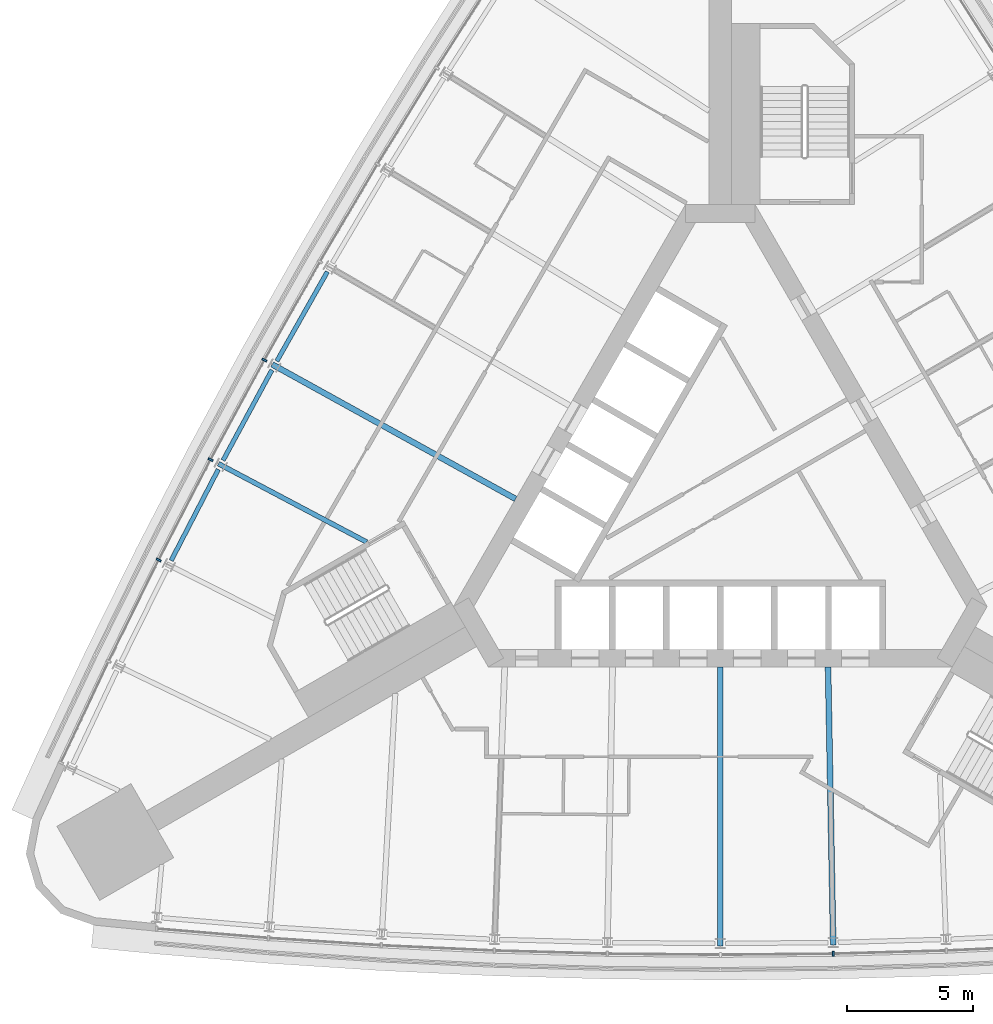
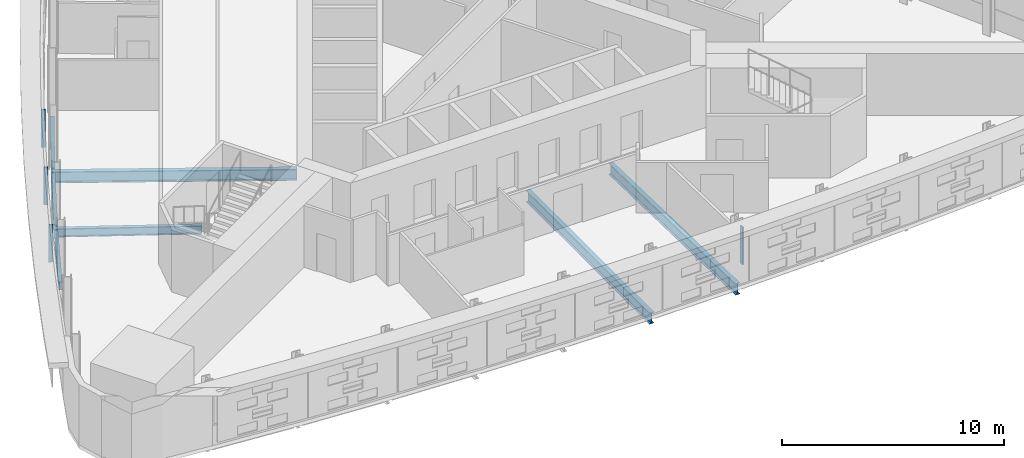
# One storey, part 4 of 15: 7 beams, 4 members, 2 elements without a shape of their own.
"""IFC4 building model written with IfcOpenShell, lengths in metres."""

from ifc_helpers import new_model, si_unit, direction, frame, origin, origin_2d, place, context, subcontext, project, spatial, rectangle, i_section, extrude, material, material_profile, profile_set, type_object, element, aggregate, save


model = new_model("IFC4")

# Units and contexts
model_context = context("Model", 3, precision=1e-05, world=origin(), true_north=direction((0.0, 1.0)))
body_context = subcontext(model_context, "Body", "Model", "MODEL_VIEW")
ifc_project = project(units=[si_unit("LENGTHUNIT", "METRE"), si_unit("AREAUNIT", "SQUARE_METRE"), si_unit("VOLUMEUNIT", "CUBIC_METRE"), si_unit("PLANEANGLEUNIT", "RADIAN"), si_unit("MASSUNIT", "GRAM", prefix="KILO")], contexts=[model_context])

# Site, building, storey
site_placement = place(None, origin())
site = spatial("IfcSite", under=ifc_project, at=site_placement, CompositionType="ELEMENT")
building_placement = place(site_placement, origin())
building = spatial("IfcBuilding", under=site, at=building_placement, Name="Noor Cloister Tower", CompositionType="ELEMENT")
storey_placement = place(building_placement, frame((0.0, 0.0, 31.199951171875)))
storey = spatial("IfcBuildingStorey", under=building, at=storey_placement, Name="L07", CompositionType="ELEMENT", Elevation=31.199951171875)

# Curtain wall, members
ifc_material_1 = material(Name="Aluminium 6063-T6 anodised", Category="aluminium")
curtain_wall_type = type_object("IfcCurtainWallType", Name="Ribbon curtain wall, lower tower CW1", PredefinedType="NOTDEFINED", material=ifc_material_1)
curtain_wall_1_placement = place(storey_placement, origin())
curtain_wall_1 = element("IfcCurtainWall", 1, at=curtain_wall_1_placement, inside=storey, type_object=curtain_wall_type, Name="CW1 L07 NW run 1", PredefinedType="NOTDEFINED")
ifc_material_2 = material(Name="Aluminium 6063-T6 anodised", Category="aluminium")
ifc_material_profile_1 = material_profile(ifc_material_2, rectangle(XDim=0.199951171875, YDim=0.080078125, at=origin_2d()), Name="200 x 80 mullion")
ifc_profile_set_1 = profile_set([ifc_material_profile_1], Name="Aluminium 6063-T6 anodised")
member_type = type_object("IfcMemberType", Name="Mullion CW1 80 x 200", PredefinedType="MULLION", material=ifc_profile_set_1)
member_1_placement = place(storey_placement, frame((-18.133056640625, 5.275390625, 1.10009765625), z_axis=(0.0, 0.0, 1.0), x_axis=(0.875152761016, -0.483846716312, 0.0)))
member_1 = element("IfcMember", 2, at=member_1_placement, type_object=member_type, Name="CW1 mullion 7", PredefinedType="MULLION", context=body_context, shape_type="SweptSolid", body=[
    extrude(rectangle(XDim=0.199951171875, YDim=0.080078125, at=origin_2d()), origin(), (0.0, 0.0, 1.0), 2.050048828125),
])
member_2_placement = place(storey_placement, frame((-20.27294921875, 1.31884765625, 1.10009765625), z_axis=(0.0, 0.0, 1.0), x_axis=(0.88397885809, -0.467526874574, 0.0)))
member_2 = element("IfcMember", 3, at=member_2_placement, type_object=member_type, Name="CW1 mullion 8", PredefinedType="MULLION", context=body_context, shape_type="SweptSolid", body=[
    extrude(rectangle(XDim=0.199951171875, YDim=0.080078125, at=origin_2d()), origin(), (0.0, 0.0, 1.0), 2.050048828125),
])
member_3_placement = place(storey_placement, frame((-22.3388671875, -2.6767578125, 1.10009765625), z_axis=(0.0, 0.0, 1.0), x_axis=(0.892500656737, -0.451046092683, 0.0)))
member_3 = element("IfcMember", 4, at=member_3_placement, type_object=member_type, Name="CW1 mullion 9", PredefinedType="MULLION", context=body_context, shape_type="SweptSolid", body=[
    extrude(rectangle(XDim=0.199951171875, YDim=0.080078125, at=origin_2d()), origin(), (0.0, 0.0, 1.0), 2.050048828125),
])
aggregate(curtain_wall_1, [member_1, member_2, member_3])

# Curtain wall, member
curtain_wall_2_placement = place(storey_placement, origin())
curtain_wall_2 = element("IfcCurtainWall", 5, at=curtain_wall_2_placement, inside=storey, type_object=curtain_wall_type, Name="CW1 L07 S run 2", PredefinedType="NOTDEFINED")
member_4_placement = place(storey_placement, frame((4.497802734375, -18.34130859375, 1.10009765625), z_axis=(0.0, 0.0, 1.0), x_axis=(-0.018552832644, 0.999827881388, 0.0)))
member_4 = element("IfcMember", 6, at=member_4_placement, type_object=member_type, Name="CW1 mullion 7", PredefinedType="MULLION", context=body_context, shape_type="SweptSolid", body=[
    extrude(rectangle(XDim=0.199951171875, YDim=0.080078125, at=origin_2d()), origin(), (0.0, 0.0, 1.0), 2.050048828125),
])
aggregate(curtain_wall_2, [member_4])

# Beams
ifc_material_3 = material(Name="Steel ASTM A992 Gr 50", Category="steel")
ifc_material_profile_2 = material_profile(ifc_material_3, i_section(OverallWidth=0.19091796875, OverallDepth=0.45703125, WebThickness=0.009033203125, FlangeThickness=0.014404296875, FilletRadius=0.01025390625, at=origin_2d()), Name="W460x74")
ifc_profile_set_2 = profile_set([ifc_material_profile_2], Name="Steel ASTM A992 Gr 50")
beam_type_1 = type_object("IfcBeamType", Name="Radial beam W460x74", PredefinedType="BEAM", material=ifc_profile_set_2)
beam_1_placement = place(storey_placement, frame((-19.960693359375, 1.15380859375, -0.428466796875), z_axis=(0.883980318995, -0.46752411235, 0.0), x_axis=(0.46752411235, 0.883980318995, 0.0)))
element("IfcBeam", 7, at=beam_1_placement, inside=storey, type_object=beam_type_1, Name="Radial beam NW 08 L07", PredefinedType="BEAM", context=body_context, shape_type="SweptSolid", body=[
    extrude(i_section(OverallWidth=0.19091796875, OverallDepth=0.45703125, WebThickness=0.009033203125, FlangeThickness=0.014404296875, FilletRadius=0.01025390625, at=origin_2d()), origin(), (0.0, 0.0, 1.0), 6.664306640625),
])
ifc_material_4 = material(Name="Steel ASTM A992 Gr 50", Category="steel")
ifc_material_profile_3 = material_profile(ifc_material_4, i_section(OverallWidth=0.22900390625, OverallDepth=0.612060546875, WebThickness=0.011962890625, FlangeThickness=0.01953125, FilletRadius=0.0126953125, at=origin_2d()), Name="W610x125")
ifc_profile_set_3 = profile_set([ifc_material_profile_3], Name="Steel ASTM A992 Gr 50")
beam_type_2 = type_object("IfcBeamType", Name="Radial beam W610x125", PredefinedType="BEAM", material=ifc_profile_set_3)
beam_2_placement = place(storey_placement, frame((-17.82421875, 5.104736328125, -0.505859375), z_axis=(0.875148581024, -0.483854276753, 0.0), x_axis=(0.483854276753, 0.875148581024, 0.0)))
element("IfcBeam", 8, at=beam_2_placement, inside=storey, type_object=beam_type_2, Name="Radial beam NW 07 L07", PredefinedType="BEAM", context=body_context, shape_type="SweptSolid", body=[
    extrude(i_section(OverallWidth=0.22900390625, OverallDepth=0.612060546875, WebThickness=0.011962890625, FlangeThickness=0.01953125, FilletRadius=0.0126953125, at=origin_2d()), origin(), (0.0, 0.0, 1.0), 11.062255859375),
])
beam_3_placement = place(storey_placement, frame((0.0, -18.0302734375, -0.505859375), z_axis=(0.0, 1.0, 0.0), x_axis=(-1.0, 0.0, 0.0)))
element("IfcBeam", 9, at=beam_3_placement, inside=storey, type_object=beam_type_2, Name="Radial beam S 06 L07", PredefinedType="BEAM", context=body_context, shape_type="SweptSolid", body=[
    extrude(i_section(OverallWidth=0.22900390625, OverallDepth=0.612060546875, WebThickness=0.011962890625, FlangeThickness=0.01953125, FilletRadius=0.0126953125, at=origin_2d()), origin(), (0.0, 0.0, 1.0), 11.10205078125),
])
beam_4_placement = place(storey_placement, frame((4.491455078125, -17.988525390625, -0.505859375), z_axis=(-0.018560694116, 0.999827735479, 0.0), x_axis=(-0.999827735479, -0.018560694116, 0.0)))
element("IfcBeam", 10, at=beam_4_placement, inside=storey, type_object=beam_type_2, Name="Radial beam S 07 L07", PredefinedType="BEAM", context=body_context, shape_type="SweptSolid", body=[
    extrude(i_section(OverallWidth=0.22900390625, OverallDepth=0.612060546875, WebThickness=0.011962890625, FlangeThickness=0.01953125, FilletRadius=0.0126953125, at=origin_2d()), origin(), (0.0, 0.0, 1.0), 11.062255859375),
])
ifc_material_5 = material(Name="Steel ASTM A992 Gr 50", Category="steel")
ifc_material_profile_4 = material_profile(ifc_material_5, i_section(OverallWidth=0.177978515625, OverallDepth=0.406005859375, WebThickness=0.0078125, FlangeThickness=0.0126953125, FilletRadius=0.01025390625, at=origin_2d()), Name="W410x60")
ifc_profile_set_4 = profile_set([ifc_material_profile_4], Name="Steel ASTM A992 Gr 50")
beam_type_3 = type_object("IfcBeamType", Name="Spandrel beam W410x60", PredefinedType="SPANDREL", material=ifc_profile_set_4)
beam_5_placement = place(storey_placement, frame((-15.6298828125, 8.790771484375, -0.40283203125), z_axis=(-0.491956835416, -0.870619590916, 0.0), x_axis=(0.870619590916, -0.491956835416, 0.0)))
element("IfcBeam", 11, at=beam_5_placement, inside=storey, type_object=beam_type_3, Name="Spandrel beam NW 06 L07", PredefinedType="SPANDREL", context=body_context, shape_type="SweptSolid", body=[
    extrude(i_section(OverallWidth=0.177978515625, OverallDepth=0.406005859375, WebThickness=0.0078125, FlangeThickness=0.0126953125, FilletRadius=0.01025390625, at=origin_2d()), origin(), (0.0, 0.0, 1.0), 4.085693359375),
])
for number, where, z_axis, x_axis, name in (
    (12, (-17.83544921875, 4.880126953125, -0.40283203125), (-0.475688243293, -0.879613946679, 0.0), (0.879613946679, -0.475688243293, 0.0), "Spandrel beam NW 07 L07"),
    (13, (-19.9677734375, 0.92919921875, -0.40283203125), (-0.459314005258, -0.888273969321, 0.0), (0.888273969321, -0.459314005258, 0.0), "Spandrel beam NW 08 L07"),
):
    element("IfcBeam", number, at=place(storey_placement, frame(where, z_axis=z_axis, x_axis=x_axis)), inside=storey, type_object=beam_type_3, Name=name, PredefinedType="SPANDREL", context=body_context, shape_type="SweptSolid", body=[
        extrude(i_section(OverallWidth=0.177978515625, OverallDepth=0.406005859375, WebThickness=0.0078125, FlangeThickness=0.0126953125, FilletRadius=0.01025390625, at=origin_2d()), origin(), (0.0, 0.0, 1.0), 4.0859375),
    ])

save(model, "model.ifc")
